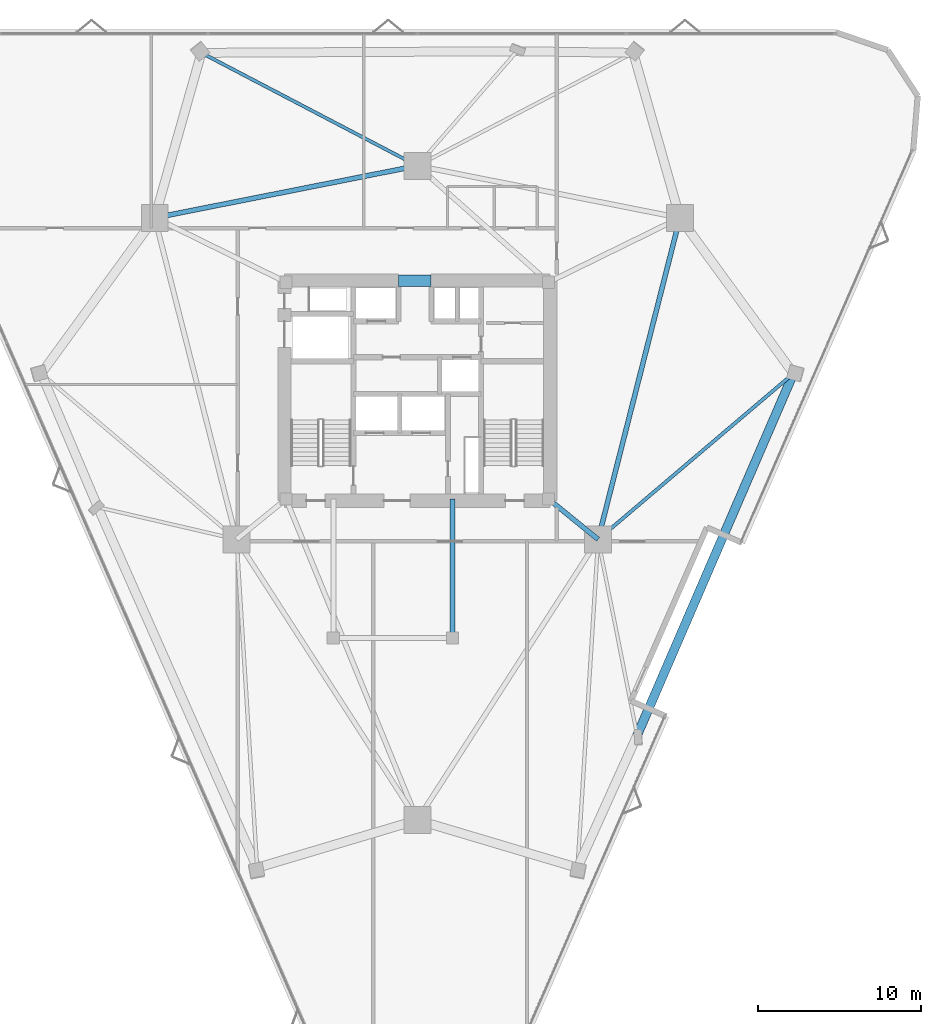
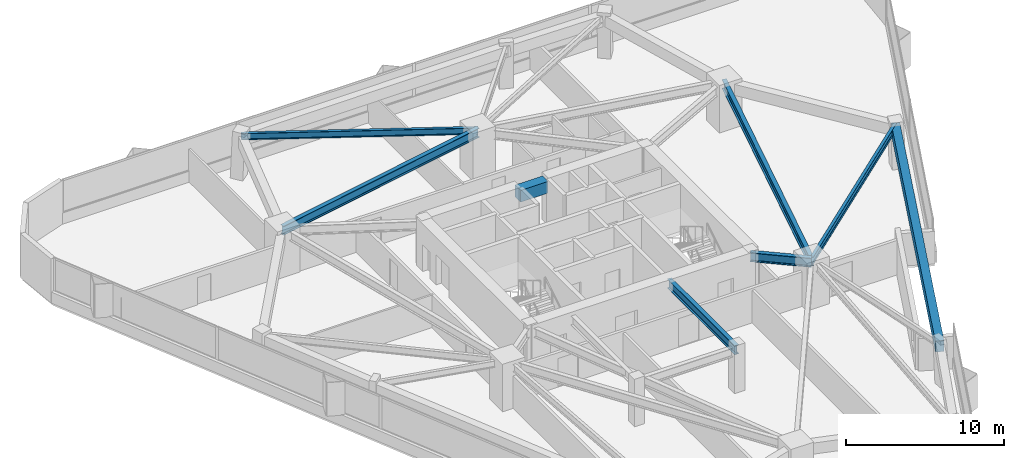
# One storey, part 5 of 13: 8 beams.
"""IFC4 building model written with IfcOpenShell, lengths in metres."""

import ifcopenshell
import ifcopenshell.guid

model = None  # the IFC model being written
_history = None  # IfcOwnerHistory: only IFC2X3 demands one
_inside = {}  # id of a spatial element -> (the spatial element, [elements in it])
_under = {}  # id of a project, library or spatial element -> (it, [spatial elements below it])
_declared = {}  # id of a project -> (the project, [libraries it declares])
_typed = {}  # id of a type object -> (the type object, [elements of that type])
_made_of = {}  # id of a material, layer set ... -> (it, [elements and type objects made of it])


def new_model(schema):
    """Start an empty IFC model of exactly this schema.

    Asked for "IFC4X3", IfcOpenShell would pick the latest addendum, in which some entities
    have other attributes; the version numbers below select the first issue.
    IFC2X3 requires an IfcOwnerHistory on every rooted entity: one is made here for all.
    """
    global model, _history
    if schema == "IFC4X3":
        model = ifcopenshell.file(schema_version=(4, 3, 0, 0))
    else:
        model = ifcopenshell.file(schema=schema)
    _inside.clear()
    _under.clear()
    _declared.clear()
    _typed.clear()
    _made_of.clear()
    _history = None
    if model.schema == "IFC2X3":
        org = make("IfcOrganization", Name="unknown")
        user = make(
            "IfcPersonAndOrganization",
            ThePerson=make("IfcPerson", FamilyName="unknown"),
            TheOrganization=org,
        )
        app = make(
            "IfcApplication",
            ApplicationDeveloper=org,
            Version="unknown",
            ApplicationFullName="unknown",
            ApplicationIdentifier="unknown",
        )
        _history = make(
            "IfcOwnerHistory",
            OwningUser=user,
            OwningApplication=app,
            ChangeAction="ADDED",
            CreationDate=0,
        )
    return model


def make(cls, **values):
    """One entity of the class cls with the attributes given. An attribute that is None is left unset."""
    return model.create_entity(
        cls, **{name: value for name, value in values.items() if value is not None}
    )


def rooted(cls, **values):
    """An entity with a GlobalId (a new one), such as an element, a storey or a relation."""
    return make(cls, GlobalId=ifcopenshell.guid.new(), OwnerHistory=_history, **values)


def si_unit(unit_type, name, prefix=None):
    """IfcSIUnit, for example si_unit("LENGTHUNIT", "METRE", prefix="MILLI")."""
    return make("IfcSIUnit", UnitType=unit_type, Prefix=prefix, Name=name)


def assignment(units):
    """IfcUnitAssignment: the units of a project."""
    return None if units is None else make("IfcUnitAssignment", Units=units)


def point(xyz):
    """IfcCartesianPoint."""
    return None if xyz is None else make("IfcCartesianPoint", Coordinates=xyz)


def direction(xyz):
    """IfcDirection."""
    return None if xyz is None else make("IfcDirection", DirectionRatios=xyz)


def frame(location, z_axis=None, x_axis=None):
    """IfcAxis2Placement3D, a coordinate frame: its origin and axes. An axis left out is left unset."""
    return make(
        "IfcAxis2Placement3D",
        Location=point(location),
        Axis=direction(z_axis),
        RefDirection=direction(x_axis),
    )


def frame_2d(location, x_axis=None):
    """IfcAxis2Placement2D, a coordinate frame in the plane: its origin and x axis."""
    return make(
        "IfcAxis2Placement2D", Location=point(location), RefDirection=direction(x_axis)
    )


def origin():
    """The frame at (0, 0, 0) with its axes left unset."""
    return frame((0.0, 0.0, 0.0))


def origin_2d():
    """The frame at (0, 0) in the plane with its x axis left unset."""
    return frame_2d((0.0, 0.0))


def place(relative_to, where):
    """IfcLocalPlacement: puts the frame where relative to a parent placement (None: the world)."""
    return make(
        "IfcLocalPlacement", PlacementRelTo=relative_to, RelativePlacement=where
    )


def context(
    kind, dimensions, precision=None, world=None, true_north=None, identifier=None
):
    """IfcGeometricRepresentationContext, for example the 3D "Model" context."""
    return make(
        "IfcGeometricRepresentationContext",
        ContextIdentifier=identifier,
        ContextType=kind,
        CoordinateSpaceDimension=dimensions,
        Precision=precision,
        WorldCoordinateSystem=world,
        TrueNorth=true_north,
    )


def subcontext(parent, identifier, kind, view, scale=None):
    """IfcGeometricRepresentationSubContext, for example "Body" below "Model"."""
    return make(
        "IfcGeometricRepresentationSubContext",
        ContextIdentifier=identifier,
        ContextType=kind,
        ParentContext=parent,
        TargetScale=scale,
        TargetView=view,
    )


def project(units=None, contexts=None):
    """IfcProject with its units and contexts."""
    return rooted(
        "IfcProject",
        Name="project",
        RepresentationContexts=contexts,
        UnitsInContext=assignment(units),
    )


def spatial(cls, under=None, at=None, **own):
    """A site, building, storey or space (cls), placed at a placement, below another one or the project."""
    s = rooted(cls, ObjectPlacement=at, **own)
    if under is not None:
        _under.setdefault(under.id(), (under, []))[1].append(s)
    return s


def profile(cls, at=None, kind="AREA", **sizes):
    """A parametric profile (cls). Its sizes go by their IFC names, for example OverallWidth=200.0."""
    return make(cls, ProfileType=kind, Position=at, **sizes)


def rectangle(**sizes):
    """IfcRectangleProfileDef."""
    return profile("IfcRectangleProfileDef", **sizes)


def i_section(**sizes):
    """IfcIShapeProfileDef."""
    return profile("IfcIShapeProfileDef", **sizes)


def extrude(swept, where, along, depth):
    """IfcExtrudedAreaSolid: the profile swept, set in the frame where, extruded along a direction by depth."""
    return make(
        "IfcExtrudedAreaSolid",
        SweptArea=swept,
        Position=where,
        ExtrudedDirection=direction(along),
        Depth=depth,
    )


def shape(context_of_items, identifier, shape_type, items):
    """IfcShapeRepresentation: the items that make up one representation, for example the "Body"."""
    return make(
        "IfcShapeRepresentation",
        ContextOfItems=context_of_items,
        RepresentationIdentifier=identifier,
        RepresentationType=shape_type,
        Items=items,
    )


def material(Name=None, Category=None):
    """IfcMaterial."""
    return make("IfcMaterial", Name=Name, Category=Category)


def material_profile(
    of_material, cross_section, Name=None, Category=None, Priority=None
):
    """IfcMaterialProfile: a cross section and its material."""
    return make(
        "IfcMaterialProfile",
        Name=Name,
        Material=of_material,
        Profile=cross_section,
        Priority=Priority,
        Category=Category,
    )


def profile_set(profiles, Name=None, composite=None):
    """IfcMaterialProfileSet."""
    return make(
        "IfcMaterialProfileSet",
        Name=Name,
        MaterialProfiles=profiles,
        CompositeProfile=composite,
    )


def made_of(thing, what):
    """Note that an element or type object is made of a material, layer set ...; save() writes the relation."""
    if what is not None:
        _made_of.setdefault(what.id(), (what, []))[1].append(thing)
    return thing


def type_object(cls, material=None, **own):
    """A type object (cls), such as IfcWallType, which elements share."""
    return made_of(rooted(cls, **own), material)


def element(
    cls,
    number,
    at=None,
    inside=None,
    cuts=None,
    type_object=None,
    material=None,
    context=None,
    identifier="Body",
    shape_type=None,
    held_by="IfcProductDefinitionShape",
    body=None,
    shapes=None,
    **own,
):
    """One element of the class cls, such as IfcWall. Its Tag is "e" and its number.

    at: its placement. inside: the storey or other place that contains it. cuts: it is an
    opening in that element (IfcRelVoidsElement). A single representation is given by context,
    identifier, shape_type and body (its items); several are given by shapes. held_by: the class
    of the entity that holds the representations. save() writes the other relations.
    """
    e = rooted(cls, Tag="e%d" % number, ObjectPlacement=at, **own)
    if body is not None:
        shapes = [shape(context, identifier, shape_type, body)]
    if shapes is not None:
        e.Representation = make(held_by, Representations=shapes)
    if inside is not None:
        _inside.setdefault(inside.id(), (inside, []))[1].append(e)
    if cuts is not None:
        rooted(
            "IfcRelVoidsElement", RelatingBuildingElement=cuts, RelatedOpeningElement=e
        )
    if type_object is not None:
        _typed.setdefault(type_object.id(), (type_object, []))[1].append(e)
    return made_of(e, material)


def aggregate(whole, parts):
    """IfcRelAggregates: a whole, such as a stair, and the parts it consists of."""
    return rooted("IfcRelAggregates", RelatingObject=whole, RelatedObjects=parts)


def save(model, path):
    """Write the relations noted so far, then the file.

    IfcRelAggregates (storeys below a building ...), IfcRelContainedInSpatialStructure (elements
    in a storey), IfcRelDefinesByType, IfcRelAssociatesMaterial and IfcRelDeclares: one each for
    every whole, place, type object, material and project.
    """
    for whole, parts in _under.values():
        aggregate(whole, parts)
    for where, things in _inside.values():
        rooted(
            "IfcRelContainedInSpatialStructure",
            RelatedElements=things,
            RelatingStructure=where,
        )
    for kind, things in _typed.values():
        rooted("IfcRelDefinesByType", RelatedObjects=things, RelatingType=kind)
    for what, things in _made_of.values():
        rooted("IfcRelAssociatesMaterial", RelatedObjects=things, RelatingMaterial=what)
    for by, libraries in _declared.values():
        rooted("IfcRelDeclares", RelatingContext=by, RelatedDefinitions=libraries)
    model.write(path)


model = new_model("IFC4")

# Units and contexts
model_context = context("Model", 3, precision=1e-05, world=origin(), true_north=direction((0.0, 1.0)))
body_context = subcontext(model_context, "Body", "Model", "MODEL_VIEW")
ifc_project = project(units=[si_unit("LENGTHUNIT", "METRE"), si_unit("AREAUNIT", "SQUARE_METRE"), si_unit("VOLUMEUNIT", "CUBIC_METRE"), si_unit("PLANEANGLEUNIT", "RADIAN"), si_unit("MASSUNIT", "GRAM", prefix="KILO")], contexts=[model_context])

# Site, building, storey
site_placement = place(None, origin())
site = spatial("IfcSite", under=ifc_project, at=site_placement, CompositionType="ELEMENT")
building_placement = place(site_placement, origin())
building = spatial("IfcBuilding", under=site, at=building_placement, Name="Talyreon Biosciences Tower", CompositionType="ELEMENT")
storey_placement = place(building_placement, frame((0.0, 0.0, 104.199951171875)))
storey = spatial("IfcBuildingStorey", under=building, at=storey_placement, Name="L27", CompositionType="ELEMENT", Elevation=104.199951171875)

# Beams
ifc_material_1 = material(Name="Concrete C60/75", Category="concrete")
ifc_material_profile_1 = material_profile(ifc_material_1, rectangle(XDim=0.699951171875, YDim=0.89990234375, at=origin_2d()), Name="RCB 700x900")
ifc_profile_set_1 = profile_set([ifc_material_profile_1], Name="Concrete C60/75")
beam_type_1 = type_object("IfcBeamType", Name="CoreCouplingLintel_700x900", PredefinedType="LINTEL", material=ifc_profile_set_1)
beam_1_placement = place(storey_placement, frame((64.85009765625, 74.75, 2.925048828125), z_axis=(1.0, 0.0, 0.0), x_axis=(0.0, 1.0, 0.0)))
element("IfcBeam", 1, at=beam_1_placement, inside=storey, type_object=beam_type_1, Name="L27 Core Coupling Lintel", PredefinedType="LINTEL", context=body_context, shape_type="SweptSolid", body=[
    extrude(rectangle(XDim=0.699951171875, YDim=0.89990234375, at=origin_2d()), origin(), (0.0, 0.0, 1.0), 2.0),
])
ifc_material_2 = material(Name="Precast concrete C45/55", Category="concrete")
ifc_material_profile_2 = material_profile(ifc_material_2, rectangle(XDim=0.550048828125, YDim=0.85009765625, at=origin_2d()), Name="RCB 550x850")
ifc_profile_set_2 = profile_set([ifc_material_profile_2], Name="Precast concrete C45/55")
beam_type_2 = type_object("IfcBeamType", Name="ExpressedSpandrel_550x850", PredefinedType="SPANDREL", material=ifc_profile_set_2)
beam_2_placement = place(storey_placement, frame((79.479736328125, 46.86279296875, 2.949951171875), z_axis=(0.396536037788, 0.918019155974, 0.0), x_axis=(-0.918019155974, 0.396536037788, 0.0)))
element("IfcBeam", 2, at=beam_2_placement, inside=storey, type_object=beam_type_2, Name="L27 Expressed Horizontal Concrete Spandrel 03", PredefinedType="SPANDREL", context=body_context, shape_type="SweptSolid", body=[
    extrude(rectangle(XDim=0.550048828125, YDim=0.85009765625, at=origin_2d()), origin(), (0.0, 0.0, 1.0), 24.17236328125),
])
ifc_material_3 = material(Name="Steel SM355", Category="steel")
ifc_material_profile_3 = material_profile(ifc_material_3, i_section(OverallWidth=0.300048828125, OverallDepth=0.699951171875, WebThickness=0.01708984375, FlangeThickness=0.031982421875, FilletRadius=0.027099609375, at=origin_2d()), Name="HE700B")
ifc_profile_set_3 = profile_set([ifc_material_profile_3], Name="Steel SM355")
beam_type_3 = type_object("IfcBeamType", Name="SteelGirder_HE700B", PredefinedType="BEAM", material=ifc_profile_set_3)
beam_3_placement = place(storey_placement, frame((77.086181640625, 58.88037109375, 3.025146484375), z_axis=(0.246537082299, 0.969133358755, 0.0), x_axis=(-0.969133358755, 0.246537082299, 0.0)))
element("IfcBeam", 3, at=beam_3_placement, inside=storey, type_object=beam_type_3, Name="L27 Mega-Ring Girder 2", PredefinedType="BEAM", context=body_context, shape_type="SweptSolid", body=[
    extrude(i_section(OverallWidth=0.300048828125, OverallDepth=0.699951171875, WebThickness=0.01708984375, FlangeThickness=0.031982421875, FilletRadius=0.027099609375, at=origin_2d()), origin(), (0.0, 0.0, 1.0), 20.34619140625),
])
beam_4_placement = place(storey_placement, frame((66.0, 81.788818359375, 3.025146484375), z_axis=(-0.980933730698, -0.194342522311, 0.0), x_axis=(0.194342522311, -0.980933730698, 0.0)))
element("IfcBeam", 4, at=beam_4_placement, inside=storey, type_object=beam_type_3, Name="L27 Mega-Ring Girder 4", PredefinedType="BEAM", context=body_context, shape_type="SweptSolid", body=[
    extrude(i_section(OverallWidth=0.300048828125, OverallDepth=0.699951171875, WebThickness=0.01708984375, FlangeThickness=0.031982421875, FilletRadius=0.027099609375, at=origin_2d()), origin(), (0.0, 0.0, 1.0), 16.415283203125),
])
beam_5_placement = place(storey_placement, frame((74.050048828125, 61.35009765625, 3.025146484375), z_axis=(0.775755154013, -0.631034025249, 0.0), x_axis=(0.631034025249, 0.775755154013, 0.0)))
element("IfcBeam", 5, at=beam_5_placement, inside=storey, type_object=beam_type_3, Name="L27 Radial Primary Girder 2", PredefinedType="BEAM", context=body_context, shape_type="SweptSolid", body=[
    extrude(i_section(OverallWidth=0.300048828125, OverallDepth=0.699951171875, WebThickness=0.01708984375, FlangeThickness=0.031982421875, FilletRadius=0.027099609375, at=origin_2d()), origin(), (0.0, 0.0, 1.0), 3.913818359375),
])
beam_6_placement = place(storey_placement, frame((68.14990234375, 52.840087890625, 3.025146484375), z_axis=(0.0, 1.0, 0.0), x_axis=(-1.0, 0.0, 0.0)))
element("IfcBeam", 6, at=beam_6_placement, inside=storey, type_object=beam_type_3, Name="L27 Crown Shaft Tie Girder E", PredefinedType="BEAM", context=body_context, shape_type="SweptSolid", body=[
    extrude(i_section(OverallWidth=0.300048828125, OverallDepth=0.699951171875, WebThickness=0.01708984375, FlangeThickness=0.031982421875, FilletRadius=0.027099609375, at=origin_2d()), origin(), (0.0, 0.0, 1.0), 8.510009765625),
])
ifc_material_profile_4 = material_profile(ifc_material_3, i_section(OverallWidth=0.199951171875, OverallDepth=0.5, WebThickness=0.01025390625, FlangeThickness=0.01611328125, FilletRadius=0.02099609375, at=origin_2d()), Name="IPE500")
ifc_profile_set_4 = profile_set([ifc_material_profile_4], Name="Steel SM355")
beam_type_4 = type_object("IfcBeamType", Name="SteelJoist_IPE500", PredefinedType="JOIST", material=ifc_profile_set_4)
beam_7_placement = place(storey_placement, frame((66.0, 81.788818359375, 3.125), z_axis=(-0.886126186132, 0.463444044359, 0.0), x_axis=(-0.463444044359, -0.886126186132, 0.0)))
element("IfcBeam", 7, at=beam_7_placement, inside=storey, type_object=beam_type_4, Name="L27 Radial Composite Floor Joist PC-N2", PredefinedType="JOIST", context=body_context, shape_type="SweptSolid", body=[
    extrude(i_section(OverallWidth=0.199951171875, OverallDepth=0.5, WebThickness=0.01025390625, FlangeThickness=0.01611328125, FilletRadius=0.02099609375, at=origin_2d()), origin(), (0.0, 0.0, 1.0), 14.943603515625),
])
ifc_material_profile_5 = material_profile(ifc_material_3, i_section(OverallWidth=0.2099609375, OverallDepth=0.550048828125, WebThickness=0.010986328125, FlangeThickness=0.01708984375, FilletRadius=0.02392578125, at=origin_2d()), Name="IPE550")
ifc_profile_set_5 = profile_set([ifc_material_profile_5], Name="Steel SM355")
beam_type_5 = type_object("IfcBeamType", Name="SteelJoist_IPE550", PredefinedType="JOIST", material=ifc_profile_set_5)
beam_8_placement = place(storey_placement, frame((77.086181640625, 58.88037109375, 3.10009765625), z_axis=(0.762217138704, 0.64732142979, 0.0), x_axis=(-0.64732142979, 0.762217138704, 0.0)))
element("IfcBeam", 8, at=beam_8_placement, inside=storey, type_object=beam_type_5, Name="L27 Radial Composite Floor Joist PC-SE2", PredefinedType="JOIST", context=body_context, shape_type="SweptSolid", body=[
    extrude(i_section(OverallWidth=0.2099609375, OverallDepth=0.550048828125, WebThickness=0.010986328125, FlangeThickness=0.01708984375, FilletRadius=0.02392578125, at=origin_2d()), origin(), (0.0, 0.0, 1.0), 15.715576171875),
])

save(model, "model.ifc")
